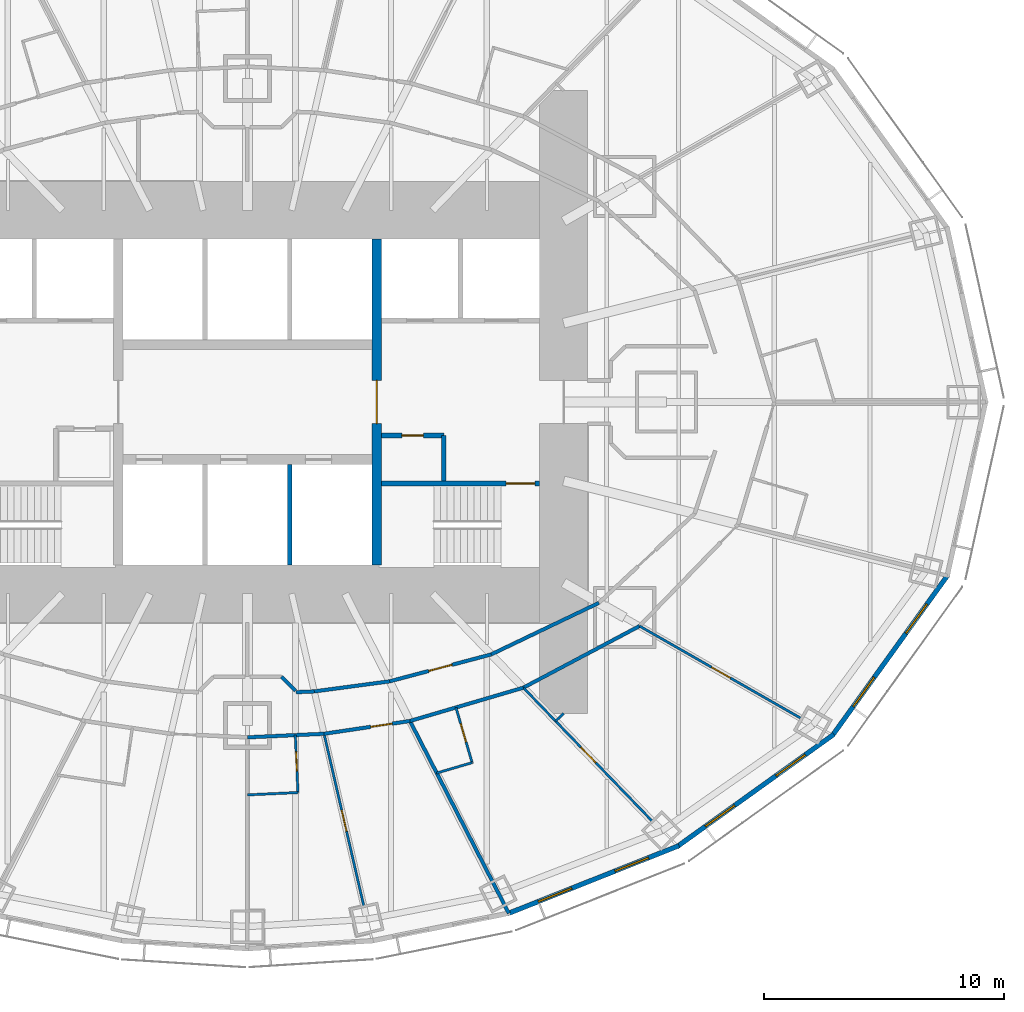
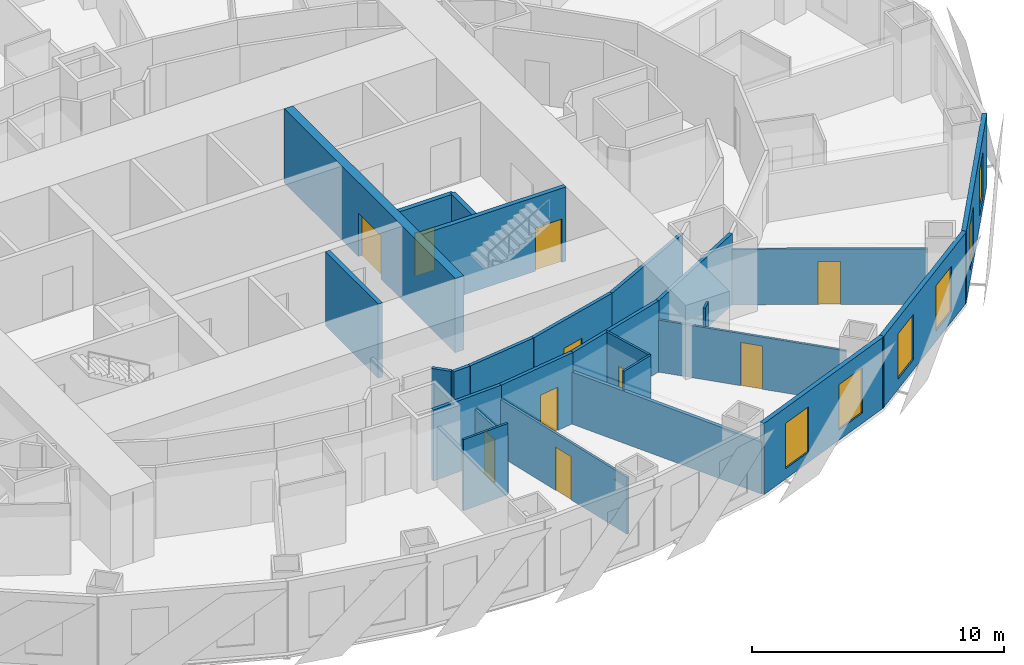
# One storey, part 7 of 15: 26 walls, 10 doors, 6 windows, 16 openings.
"""IFC4 building model written with IfcOpenShell, lengths in metres."""

from ifc_helpers import new_model, si_unit, direction, frame, frame_2d, origin, place, context, subcontext, project, spatial, rectangle, extrude, material, layer, layer_set, type_object, element, fill, save


model = new_model("IFC4")

# Units and contexts
model_context = context("Model", 3, precision=1e-05, world=origin(), true_north=direction((0.0, 1.0)))
body_context = subcontext(model_context, "Body", "Model", "MODEL_VIEW")
ifc_project = project(units=[si_unit("LENGTHUNIT", "METRE"), si_unit("AREAUNIT", "SQUARE_METRE"), si_unit("VOLUMEUNIT", "CUBIC_METRE"), si_unit("PLANEANGLEUNIT", "RADIAN"), si_unit("MASSUNIT", "GRAM", prefix="KILO")], contexts=[model_context])

# Site, building, storey
site_placement = place(None, origin())
site = spatial("IfcSite", under=ifc_project, at=site_placement, CompositionType="ELEMENT")
building_placement = place(site_placement, origin())
building = spatial("IfcBuilding", under=site, at=building_placement, Name="Lantaw Convention Tower", CompositionType="ELEMENT")
storey_placement = place(building_placement, frame((0.0, 0.0, 73.0)))
storey = spatial("IfcBuildingStorey", under=building, at=storey_placement, Name="L16", CompositionType="ELEMENT", Elevation=73.0)

# Wall, opening, door
ifc_material_1 = material(Name="Moisture resistant gypsum board on steel studs", Category="steel")
ifc_layer_1 = layer(ifc_material_1, 0.10009765625)
ifc_layer_set_1 = layer_set([ifc_layer_1], Name="Bathroom wall 100")
wall_type_1 = type_object("IfcWallType", Name="Bathroom wall 100", PredefinedType="PARTITIONING", material=ifc_layer_set_1)
wall_1_placement = place(storey_placement, frame((1.997802734375, -13.9072265625, 0.0), z_axis=(0.0, 0.0, 1.0), x_axis=(0.046492089498, -0.998918658157, 0.0)))
wall_1 = element("IfcWall", 1, at=wall_1_placement, inside=storey, type_object=wall_type_1, Name="Bathroom wall 100", PredefinedType="PARTITIONING", context=body_context, shape_type="SweptSolid", body=[
    extrude(rectangle(XDim=2.39990234375, YDim=0.10009765625, at=frame_2d((1.199951171875, 0.0))), origin(), (0.0, 0.0, 1.0), 2.7490234375),
])
opening_1_placement = place(wall_1_placement, frame((0.699951171875, 0.0, 0.0)))
opening_1 = element("IfcOpeningElement", 2, at=opening_1_placement, cuts=wall_1, Name="Opening L16.45", PredefinedType="OPENING", context=body_context, shape_type="SweptSolid", body=[
    extrude(rectangle(XDim=0.800048828125, YDim=2.10009765625, at=frame_2d((0.39990234375, 1.050048828125))), frame((0.0, 0.06005859375, 0.0), z_axis=(0.0, -1.0, 0.0), x_axis=(1.0, 0.0, 0.0)), (0.0, 0.0, 1.0), 0.1201171875),
])
ifc_material_2 = material(Name="Timber", Category="wood")
door_type_1 = type_object("IfcDoorType", Name="Bathroom door 800", OperationType="SINGLE_SWING_LEFT", PredefinedType="DOOR", material=ifc_material_2)
door_1_placement = place(opening_1_placement, origin())
door_1 = element("IfcDoor", 3, at=door_1_placement, inside=storey, type_object=door_type_1, Name="Bathroom door", OperationType="SINGLE_SWING_LEFT", OverallHeight=2.10009765625, OverallWidth=0.800048828125, PredefinedType="DOOR", context=body_context, shape_type="SweptSolid", body=[
    extrude(rectangle(XDim=0.800048828125, YDim=2.10009765625, at=frame_2d((0.39990234375, 1.050048828125))), frame((0.0, 0.02490234375, 0.0), z_axis=(0.0, -1.0, 0.0), x_axis=(1.0, 0.0, 0.0)), (0.0, 0.0, 1.0), 0.050048828125),
])
fill(opening_1, door_1)

# Wall
wall_2_placement = place(storey_placement, frame((2.109375, -16.304443359375, 0.0), z_axis=(0.0, 0.0, 1.0), x_axis=(-0.998919337223, -0.04647749694, 0.0)))
element("IfcWall", 4, at=wall_2_placement, inside=storey, type_object=wall_type_1, Name="Bathroom wall 100", PredefinedType="PARTITIONING", context=body_context, shape_type="SweptSolid", body=[
    extrude(rectangle(XDim=2.111572265625, YDim=0.10009765625, at=frame_2d((1.0556640625, 0.0))), origin(), (0.0, 0.0, 1.0), 3.449951171875),
])

# Wall, opening, door
wall_3_placement = place(storey_placement, frame((8.70458984375, -12.75390625, 0.0), z_axis=(0.0, 0.0, 1.0), x_axis=(0.281659633817, -0.959514382736, 0.0)))
wall_3 = element("IfcWall", 5, at=wall_3_placement, inside=storey, type_object=wall_type_1, Name="Bathroom wall 100", PredefinedType="PARTITIONING", context=body_context, shape_type="SweptSolid", body=[
    extrude(rectangle(XDim=2.400146484375, YDim=0.10009765625, at=frame_2d((1.2001953125, 0.0))), origin(), (0.0, 0.0, 1.0), 3.449951171875),
])
opening_2_placement = place(wall_3_placement, frame((0.699951171875, 0.0, 0.0)))
opening_2 = element("IfcOpeningElement", 6, at=opening_2_placement, cuts=wall_3, Name="Opening L16.48", PredefinedType="OPENING", context=body_context, shape_type="SweptSolid", body=[
    extrude(rectangle(XDim=0.800048828125, YDim=2.10009765625, at=frame_2d((0.39990234375, 1.050048828125))), frame((0.0, 0.06005859375, 0.0), z_axis=(0.0, -1.0, 0.0), x_axis=(1.0, 0.0, 0.0)), (0.0, 0.0, 1.0), 0.1201171875),
])
door_2_placement = place(opening_2_placement, origin())
door_2 = element("IfcDoor", 7, at=door_2_placement, inside=storey, type_object=door_type_1, Name="Bathroom door", OperationType="SINGLE_SWING_LEFT", OverallHeight=2.10009765625, OverallWidth=0.800048828125, PredefinedType="DOOR", context=body_context, shape_type="SweptSolid", body=[
    extrude(rectangle(XDim=0.800048828125, YDim=2.10009765625, at=frame_2d((0.39990234375, 1.050048828125))), frame((0.0, 0.02490234375, 0.0), z_axis=(0.0, -1.0, 0.0), x_axis=(1.0, 0.0, 0.0)), (0.0, 0.0, 1.0), 0.050048828125),
])
fill(opening_2, door_2)

# Wall
wall_4_placement = place(storey_placement, frame((9.380615234375, -15.056884765625, 0.0), z_axis=(0.0, 0.0, 1.0), x_axis=(-0.959518451093, -0.281645773999, 0.0)))
element("IfcWall", 8, at=wall_4_placement, inside=storey, type_object=wall_type_1, Name="Bathroom wall 100", PredefinedType="PARTITIONING", context=body_context, shape_type="SweptSolid", body=[
    extrude(rectangle(XDim=1.549072265625, YDim=0.10009765625, at=frame_2d((0.7744140625, 0.0))), origin(), (0.0, 0.0, 1.0), 3.449951171875),
])

# Wall, opening, door
ifc_material_3 = material(Name="Concrete C60/75", Category="concrete")
ifc_layer_2 = layer(ifc_material_3, 0.199951171875)
ifc_layer_set_2 = layer_set([ifc_layer_2], Name="Core wall 200")
wall_type_2 = type_object("IfcWallType", Name="Core wall 200", PredefinedType="SHEAR", material=ifc_layer_set_2)
wall_5_placement = place(storey_placement, frame((5.60009765625, -3.39990234375, 0.0), z_axis=(0.0, 0.0, 1.0), x_axis=(1.0, 0.0, 0.0)))
wall_5 = element("IfcWall", 9, at=wall_5_placement, inside=storey, type_object=wall_type_2, Name="Core wall ES", PredefinedType="SHEAR", context=body_context, shape_type="SweptSolid", body=[
    extrude(rectangle(XDim=6.599853515625, YDim=0.199951171875, at=frame_2d((3.2998046875, 0.0))), origin(), (0.0, 0.0, 1.0), 3.60009765625),
])
opening_3_placement = place(wall_5_placement, frame((5.199951171875, 0.0, 0.0)))
opening_3 = element("IfcOpeningElement", 10, at=opening_3_placement, cuts=wall_5, Name="Opening L16.05", PredefinedType="OPENING", context=body_context, shape_type="SweptSolid", body=[
    extrude(rectangle(XDim=1.199951171875, YDim=2.10009765625, at=frame_2d((0.60009765625, 1.050048828125))), frame((0.0, 0.10986328125, 0.0), z_axis=(0.0, -1.0, 0.0), x_axis=(1.0, 0.0, 0.0)), (0.0, 0.0, 1.0), 0.219970703125),
])
ifc_material_4 = material(Name="Steel, fire rated", Category="steel")
door_type_2 = type_object("IfcDoorType", Name="Stair door FD90", OperationType="SINGLE_SWING_RIGHT", PredefinedType="DOOR", material=ifc_material_4)
door_3_placement = place(opening_3_placement, origin())
door_3 = element("IfcDoor", 11, at=door_3_placement, inside=storey, type_object=door_type_2, Name="Exit stair door", OperationType="SINGLE_SWING_RIGHT", OverallHeight=2.10009765625, OverallWidth=1.199951171875, PredefinedType="DOOR", context=body_context, shape_type="SweptSolid", body=[
    extrude(rectangle(XDim=1.199951171875, YDim=2.10009765625, at=frame_2d((0.60009765625, 1.050048828125))), frame((0.0, 0.02490234375, 0.0), z_axis=(0.0, -1.0, 0.0), x_axis=(1.0, 0.0, 0.0)), (0.0, 0.0, 1.0), 0.050048828125),
])
fill(opening_3, door_3)

ifc_layer_3 = layer(ifc_material_3, 0.39990234375)
ifc_layer_set_3 = layer_set([ifc_layer_3], Name="Core wall 400")
wall_type_3 = type_object("IfcWallType", Name="Core wall 400", PredefinedType="SHEAR", material=ifc_layer_set_3)
wall_6_placement = place(storey_placement, frame((5.39990234375, -6.800048828125, 0.0), z_axis=(0.0, 0.0, 1.0), x_axis=(0.0, 1.0, 0.0)))
wall_6 = element("IfcWall", 12, at=wall_6_placement, inside=storey, type_object=wall_type_3, Name="Core wall XE", PredefinedType="SHEAR", context=body_context, shape_type="SweptSolid", body=[
    extrude(rectangle(XDim=13.60009765625, YDim=0.39990234375, at=frame_2d((6.800048828125, 0.0))), origin(), (0.0, 0.0, 1.0), 3.60009765625),
])
opening_4_placement = place(wall_6_placement, frame((5.89990234375, 0.0, 0.0)))
opening_4 = element("IfcOpeningElement", 13, at=opening_4_placement, cuts=wall_6, Name="Opening L16.03", PredefinedType="OPENING", context=body_context, shape_type="SweptSolid", body=[
    extrude(rectangle(XDim=1.800048828125, YDim=2.10009765625, at=frame_2d((0.89990234375, 1.050048828125))), frame((0.0, 0.2099609375, 0.0), z_axis=(0.0, -1.0, 0.0), x_axis=(1.0, 0.0, 0.0)), (0.0, 0.0, 1.0), 0.419921875),
])
door_type_3 = type_object("IfcDoorType", Name="Lobby double door FD90", OperationType="DOUBLE_DOOR_DOUBLE_SWING", PredefinedType="DOOR", material=ifc_material_4)
door_4_placement = place(opening_4_placement, origin())
door_4 = element("IfcDoor", 14, at=door_4_placement, inside=storey, type_object=door_type_3, Name="Lift lobby door", OperationType="DOUBLE_DOOR_DOUBLE_SWING", OverallHeight=2.10009765625, OverallWidth=1.800048828125, PredefinedType="DOOR", context=body_context, shape_type="SweptSolid", body=[
    extrude(rectangle(XDim=1.800048828125, YDim=2.10009765625, at=frame_2d((0.89990234375, 1.050048828125))), frame((0.0, 0.02490234375, 0.0), z_axis=(0.0, -1.0, 0.0), x_axis=(1.0, 0.0, 0.0)), (0.0, 0.0, 1.0), 0.050048828125),
])
fill(opening_4, door_4)

# Wall
ifc_material_5 = material(Name="Gypsum board on steel studs, fire rated", Category="steel")
ifc_layer_4 = layer(ifc_material_5, 0.14990234375)
ifc_layer_set_4 = layer_set([ifc_layer_4], Name="Corridor wall 150 EI 60")
wall_type_4 = type_object("IfcWallType", Name="Corridor wall 150 EI 60", PredefinedType="PARTITIONING", material=ifc_layer_set_4)
wall_7_placement = place(storey_placement, frame((0.0, -14.0, 0.0), z_axis=(0.0, 0.0, 1.0), x_axis=(0.998920826789, 0.046445471333, 0.0)))
element("IfcWall", 15, at=wall_7_placement, inside=storey, type_object=wall_type_4, Name="Corridor wall 150", PredefinedType="PARTITIONING", context=body_context, shape_type="SweptSolid", body=[
    extrude(rectangle(XDim=3.201171875, YDim=0.14990234375, at=frame_2d((1.6005859375, 0.0))), origin(), (0.0, 0.0, 1.0), 3.449951171875),
])

# Wall, opening, door
wall_8_placement = place(storey_placement, frame((3.19775390625, -13.851318359375, 0.0), z_axis=(0.0, 0.0, 1.0), x_axis=(0.989107488999, 0.14719502439, 0.0)))
wall_8 = element("IfcWall", 16, at=wall_8_placement, inside=storey, type_object=wall_type_4, Name="Corridor wall 150", PredefinedType="PARTITIONING", context=body_context, shape_type="SweptSolid", body=[
    extrude(rectangle(XDim=3.62744140625, YDim=0.14990234375, at=frame_2d((1.813720703125, 0.0))), origin(), (0.0, 0.0, 1.0), 3.449951171875),
])
opening_5_placement = place(wall_8_placement, frame((1.970458984375, 0.0, 0.0)))
opening_5 = element("IfcOpeningElement", 17, at=opening_5_placement, cuts=wall_8, Name="Opening L16.47", PredefinedType="OPENING", context=body_context, shape_type="SweptSolid", body=[
    extrude(rectangle(XDim=0.89990234375, YDim=2.10009765625, at=frame_2d((0.449951171875, 1.050048828125))), frame((0.0, 0.0849609375, 0.0), z_axis=(0.0, -1.0, 0.0), x_axis=(1.0, 0.0, 0.0)), (0.0, 0.0, 1.0), 0.169921875),
])
door_type_4 = type_object("IfcDoorType", Name="Guest room entrance door FD30S", OperationType="SINGLE_SWING_LEFT", PredefinedType="DOOR", material=ifc_material_4)
door_5_placement = place(opening_5_placement, origin())
door_5 = element("IfcDoor", 18, at=door_5_placement, inside=storey, type_object=door_type_4, Name="Suite entrance door", OperationType="SINGLE_SWING_LEFT", OverallHeight=2.10009765625, OverallWidth=0.89990234375, PredefinedType="DOOR", context=body_context, shape_type="SweptSolid", body=[
    extrude(rectangle(XDim=0.89990234375, YDim=2.10009765625, at=frame_2d((0.449951171875, 1.050048828125))), frame((0.0, 0.02490234375, 0.0), z_axis=(0.0, -1.0, 0.0), x_axis=(1.0, 0.0, 0.0)), (0.0, 0.0, 1.0), 0.050048828125),
])
fill(opening_5, door_5)

# Walls
wall_9_placement = place(storey_placement, frame((6.78564453125, -13.3173828125, 0.0), z_axis=(0.0, 0.0, 1.0), x_axis=(0.959496227294, 0.281721475589, 0.0)))
element("IfcWall", 19, at=wall_9_placement, inside=storey, type_object=wall_type_4, Name="Corridor wall 150", PredefinedType="PARTITIONING", context=body_context, shape_type="SweptSolid", body=[
    extrude(rectangle(XDim=4.9326171875, YDim=0.14990234375, at=frame_2d((2.46630859375, 0.0))), origin(), (0.0, 0.0, 1.0), 3.449951171875),
])
wall_10_placement = place(storey_placement, frame((11.5185546875, -11.927734375, 0.0), z_axis=(0.0, 0.0, 1.0), x_axis=(0.883334368785, 0.468743419071, 0.0)))
element("IfcWall", 20, at=wall_10_placement, inside=storey, type_object=wall_type_4, Name="Corridor wall 150", PredefinedType="PARTITIONING", context=body_context, shape_type="SweptSolid", body=[
    extrude(rectangle(XDim=5.4912109375, YDim=0.14990234375, at=frame_2d((2.74560546875, 0.0))), origin(), (0.0, 0.0, 1.0), 3.449951171875),
])
wall_11_placement = place(storey_placement, frame((2.78955078125, -12.0830078125, 0.0), z_axis=(0.0, 0.0, 1.0), x_axis=(0.991129053928, 0.13290296633, 0.0)))
element("IfcWall", 21, at=wall_11_placement, inside=storey, type_object=wall_type_4, Name="Corridor wall 150", PredefinedType="PARTITIONING", context=body_context, shape_type="SweptSolid", body=[
    extrude(rectangle(XDim=3.179931640625, YDim=0.14990234375, at=frame_2d((1.58984375, 0.0))), origin(), (0.0, 0.0, 1.0), 3.449951171875),
])

# Wall, opening, door
wall_12_placement = place(storey_placement, frame((5.941162109375, -11.660400390625, 0.0), z_axis=(0.0, 0.0, 1.0), x_axis=(0.966672790407, 0.256015070428, 0.0)))
wall_12 = element("IfcWall", 22, at=wall_12_placement, inside=storey, type_object=wall_type_4, Name="Corridor wall 150", PredefinedType="PARTITIONING", context=body_context, shape_type="SweptSolid", body=[
    extrude(rectangle(XDim=4.3818359375, YDim=0.14990234375, at=frame_2d((2.19091796875, 0.0))), origin(), (0.0, 0.0, 1.0), 3.449951171875),
])
opening_6_placement = place(wall_12_placement, frame((1.69091796875, 0.0, 0.0)))
opening_6 = element("IfcOpeningElement", 23, at=opening_6_placement, cuts=wall_12, Name="Opening L16.24", PredefinedType="OPENING", context=body_context, shape_type="SweptSolid", body=[
    extrude(rectangle(XDim=1.0, YDim=2.10009765625, at=frame_2d((0.5, 1.050048828125))), frame((0.0, 0.0849609375, 0.0), z_axis=(0.0, -1.0, 0.0), x_axis=(1.0, 0.0, 0.0)), (0.0, 0.0, 1.0), 0.169921875),
])
door_type_5 = type_object("IfcDoorType", Name="Service door 1000 FD30", OperationType="SINGLE_SWING_LEFT", PredefinedType="DOOR", material=ifc_material_4)
door_6_placement = place(opening_6_placement, origin())
door_6 = element("IfcDoor", 24, at=door_6_placement, inside=storey, type_object=door_type_5, Name="Room service pantry door", OperationType="SINGLE_SWING_LEFT", OverallHeight=2.10009765625, OverallWidth=1.0, PredefinedType="DOOR", context=body_context, shape_type="SweptSolid", body=[
    extrude(rectangle(XDim=1.0, YDim=2.10009765625, at=frame_2d((0.5, 1.050048828125))), frame((0.0, 0.02490234375, 0.0), z_axis=(0.0, -1.0, 0.0), x_axis=(1.0, 0.0, 0.0)), (0.0, 0.0, 1.0), 0.050048828125),
])
fill(opening_6, door_6)

# Walls
wall_13_placement = place(storey_placement, frame((10.177001953125, -10.53857421875, 0.0), z_axis=(0.0, 0.0, 1.0), x_axis=(0.901869692799, 0.43200816799, 0.0)))
element("IfcWall", 25, at=wall_13_placement, inside=storey, type_object=wall_type_4, Name="Corridor wall 150", PredefinedType="PARTITIONING", context=body_context, shape_type="SweptSolid", body=[
    extrude(rectangle(XDim=4.985595703125, YDim=0.14990234375, at=frame_2d((2.49267578125, 0.0))), origin(), (0.0, 0.0, 1.0), 3.449951171875),
])
wall_14_placement = place(storey_placement, frame((2.034912109375, -12.11474609375, 0.0), z_axis=(0.0, 0.0, 1.0), x_axis=(0.999116751279, 0.042020439232, 0.0)))
element("IfcWall", 26, at=wall_14_placement, inside=storey, type_object=wall_type_4, Name="Corridor wall 150", PredefinedType="PARTITIONING", context=body_context, shape_type="SweptSolid", body=[
    extrude(rectangle(XDim=0.75537109375, YDim=0.14990234375, at=frame_2d((0.377685546875, 0.0))), origin(), (0.0, 0.0, 1.0), 3.449951171875),
])
wall_15_placement = place(storey_placement, frame((1.424560546875, -11.47509765625, 0.0), z_axis=(0.0, 0.0, 1.0), x_axis=(0.707256164678, -0.706957366129, 0.0)))
element("IfcWall", 27, at=wall_15_placement, inside=storey, type_object=wall_type_4, Name="Corridor wall 150", PredefinedType="PARTITIONING", context=body_context, shape_type="SweptSolid", body=[
    extrude(rectangle(XDim=0.817138671875, YDim=0.14990234375, at=frame_2d((0.40869140625, 0.0))), origin(), (0.0, 0.0, 1.0), 3.449951171875),
])

# Wall, openings, windows
ifc_material_6 = material(Name="Insulated aluminium panel on steel frame", Category="steel")
ifc_layer_5 = layer(ifc_material_6, 0.199951171875)
ifc_layer_set_5 = layer_set([ifc_layer_5], Name="External wall 200")
wall_type_5 = type_object("IfcWallType", Name="External wall 200", PredefinedType="SOLIDWALL", material=ifc_layer_set_5)
wall_16_placement = place(storey_placement, frame((10.869384765625, -21.362548828125, 0.0), z_axis=(0.0, 0.0, 1.0), x_axis=(0.929358351251, 0.369178892895, 0.0)))
wall_16 = element("IfcWall", 28, at=wall_16_placement, inside=storey, type_object=wall_type_5, Name="Facade panel wall", PredefinedType="SOLIDWALL", context=body_context, shape_type="SweptSolid", body=[
    extrude(rectangle(XDim=7.6923828125, YDim=0.199951171875, at=frame_2d((3.84619140625, 0.0))), origin(), (0.0, 0.0, 1.0), 3.449951171875),
])
opening_7_placement = place(wall_16_placement, frame((1.373046875, 0.0, 0.5)))
opening_7 = element("IfcOpeningElement", 29, at=opening_7_placement, cuts=wall_16, Name="Opening W2", PredefinedType="OPENING", context=body_context, shape_type="SweptSolid", body=[
    extrude(rectangle(XDim=1.5, YDim=2.199951171875, at=frame_2d((0.75, 1.10009765625))), frame((0.0, 0.10986328125, 0.0), z_axis=(0.0, -1.0, 0.0), x_axis=(1.0, 0.0, 0.0)), (0.0, 0.0, 1.0), 0.219970703125),
])
opening_8_placement = place(wall_16_placement, frame((4.819091796875, 0.0, 0.5)))
opening_8 = element("IfcOpeningElement", 30, at=opening_8_placement, cuts=wall_16, Name="Opening W2", PredefinedType="OPENING", context=body_context, shape_type="SweptSolid", body=[
    extrude(rectangle(XDim=1.5, YDim=2.199951171875, at=frame_2d((0.75, 1.10009765625))), frame((0.0, 0.10986328125, 0.0), z_axis=(0.0, -1.0, 0.0), x_axis=(1.0, 0.0, 0.0)), (0.0, 0.0, 1.0), 0.219970703125),
])
ifc_material_7 = material(Name="Aluminium frame, clear insulating glass", Category="aluminium")
window_type = type_object("IfcWindowType", Name="Suite window 1500x2200", PartitioningType="SINGLE_PANEL", PredefinedType="WINDOW", material=ifc_material_7)
window_1_placement = place(opening_7_placement, origin())
window_1 = element("IfcWindow", 31, at=window_1_placement, inside=storey, type_object=window_type, Name="Guest room window", OverallHeight=2.199951171875, OverallWidth=1.5, PartitioningType="SINGLE_PANEL", PredefinedType="WINDOW", context=body_context, shape_type="SweptSolid", body=[
    extrude(rectangle(XDim=1.5, YDim=2.199951171875, at=frame_2d((0.75, 1.10009765625))), frame((0.0, 0.030029296875, 0.0), z_axis=(0.0, -1.0, 0.0), x_axis=(1.0, 0.0, 0.0)), (0.0, 0.0, 1.0), 0.06005859375),
])
fill(opening_7, window_1)
window_2_placement = place(opening_8_placement, origin())
window_2 = element("IfcWindow", 32, at=window_2_placement, inside=storey, type_object=window_type, Name="Guest room window", OverallHeight=2.199951171875, OverallWidth=1.5, PartitioningType="SINGLE_PANEL", PredefinedType="WINDOW", context=body_context, shape_type="SweptSolid", body=[
    extrude(rectangle(XDim=1.5, YDim=2.199951171875, at=frame_2d((0.75, 1.10009765625))), frame((0.0, 0.030029296875, 0.0), z_axis=(0.0, -1.0, 0.0), x_axis=(1.0, 0.0, 0.0)), (0.0, 0.0, 1.0), 0.06005859375),
])
fill(opening_8, window_2)

wall_17_placement = place(storey_placement, frame((17.9287109375, -18.57177734375, 0.0), z_axis=(0.0, 0.0, 1.0), x_axis=(0.812791321576, 0.582554948112, 0.0)))
wall_17 = element("IfcWall", 33, at=wall_17_placement, inside=storey, type_object=wall_type_5, Name="Facade panel wall", PredefinedType="SOLIDWALL", context=body_context, shape_type="SweptSolid", body=[
    extrude(rectangle(XDim=8.063232421875, YDim=0.199951171875, at=frame_2d((4.03173828125, 0.0))), origin(), (0.0, 0.0, 1.0), 3.449951171875),
])
opening_9_placement = place(wall_17_placement, frame((1.4658203125, 0.0, 0.5)))
opening_9 = element("IfcOpeningElement", 34, at=opening_9_placement, cuts=wall_17, Name="Opening W2", PredefinedType="OPENING", context=body_context, shape_type="SweptSolid", body=[
    extrude(rectangle(XDim=1.5, YDim=2.199951171875, at=frame_2d((0.75, 1.10009765625))), frame((0.0, 0.10986328125, 0.0), z_axis=(0.0, -1.0, 0.0), x_axis=(1.0, 0.0, 0.0)), (0.0, 0.0, 1.0), 0.219970703125),
])
opening_10_placement = place(wall_17_placement, frame((5.097412109375, 0.0, 0.5)))
opening_10 = element("IfcOpeningElement", 35, at=opening_10_placement, cuts=wall_17, Name="Opening W2", PredefinedType="OPENING", context=body_context, shape_type="SweptSolid", body=[
    extrude(rectangle(XDim=1.5, YDim=2.199951171875, at=frame_2d((0.75, 1.10009765625))), frame((0.0, 0.10986328125, 0.0), z_axis=(0.0, -1.0, 0.0), x_axis=(1.0, 0.0, 0.0)), (0.0, 0.0, 1.0), 0.219970703125),
])
window_3_placement = place(opening_9_placement, origin())
window_3 = element("IfcWindow", 36, at=window_3_placement, inside=storey, type_object=window_type, Name="Guest room window", OverallHeight=2.199951171875, OverallWidth=1.5, PartitioningType="SINGLE_PANEL", PredefinedType="WINDOW", context=body_context, shape_type="SweptSolid", body=[
    extrude(rectangle(XDim=1.5, YDim=2.199951171875, at=frame_2d((0.75, 1.10009765625))), frame((0.0, 0.030029296875, 0.0), z_axis=(0.0, -1.0, 0.0), x_axis=(1.0, 0.0, 0.0)), (0.0, 0.0, 1.0), 0.06005859375),
])
fill(opening_9, window_3)
window_4_placement = place(opening_10_placement, origin())
window_4 = element("IfcWindow", 37, at=window_4_placement, inside=storey, type_object=window_type, Name="Guest room window", OverallHeight=2.199951171875, OverallWidth=1.5, PartitioningType="SINGLE_PANEL", PredefinedType="WINDOW", context=body_context, shape_type="SweptSolid", body=[
    extrude(rectangle(XDim=1.5, YDim=2.199951171875, at=frame_2d((0.75, 1.10009765625))), frame((0.0, 0.030029296875, 0.0), z_axis=(0.0, -1.0, 0.0), x_axis=(1.0, 0.0, 0.0)), (0.0, 0.0, 1.0), 0.06005859375),
])
fill(opening_10, window_4)

wall_18_placement = place(storey_placement, frame((24.400390625, -13.95654296875, 0.0), z_axis=(0.0, 0.0, 1.0), x_axis=(0.583937613703, 0.811798536155, 0.0)))
wall_18 = element("IfcWall", 38, at=wall_18_placement, inside=storey, type_object=wall_type_5, Name="Facade panel wall", PredefinedType="SOLIDWALL", context=body_context, shape_type="SweptSolid", body=[
    extrude(rectangle(XDim=8.322998046875, YDim=0.199951171875, at=frame_2d((4.16162109375, 0.0))), origin(), (0.0, 0.0, 1.0), 3.449951171875),
])
opening_11_placement = place(wall_18_placement, frame((1.53076171875, 0.0, 0.5)))
opening_11 = element("IfcOpeningElement", 39, at=opening_11_placement, cuts=wall_18, Name="Opening W2", PredefinedType="OPENING", context=body_context, shape_type="SweptSolid", body=[
    extrude(rectangle(XDim=1.5, YDim=2.199951171875, at=frame_2d((0.75, 1.10009765625))), frame((0.0, 0.10986328125, 0.0), z_axis=(0.0, -1.0, 0.0), x_axis=(1.0, 0.0, 0.0)), (0.0, 0.0, 1.0), 0.219970703125),
])
opening_12_placement = place(wall_18_placement, frame((5.292236328125, 0.0, 0.5)))
opening_12 = element("IfcOpeningElement", 40, at=opening_12_placement, cuts=wall_18, Name="Opening W2", PredefinedType="OPENING", context=body_context, shape_type="SweptSolid", body=[
    extrude(rectangle(XDim=1.5, YDim=2.199951171875, at=frame_2d((0.75, 1.10009765625))), frame((0.0, 0.10986328125, 0.0), z_axis=(0.0, -1.0, 0.0), x_axis=(1.0, 0.0, 0.0)), (0.0, 0.0, 1.0), 0.219970703125),
])
window_5_placement = place(opening_11_placement, origin())
window_5 = element("IfcWindow", 41, at=window_5_placement, inside=storey, type_object=window_type, Name="Guest room window", OverallHeight=2.199951171875, OverallWidth=1.5, PartitioningType="SINGLE_PANEL", PredefinedType="WINDOW", context=body_context, shape_type="SweptSolid", body=[
    extrude(rectangle(XDim=1.5, YDim=2.199951171875, at=frame_2d((0.75, 1.10009765625))), frame((0.0, 0.030029296875, 0.0), z_axis=(0.0, -1.0, 0.0), x_axis=(1.0, 0.0, 0.0)), (0.0, 0.0, 1.0), 0.06005859375),
])
fill(opening_11, window_5)
window_6_placement = place(opening_12_placement, origin())
window_6 = element("IfcWindow", 42, at=window_6_placement, inside=storey, type_object=window_type, Name="Guest room window", OverallHeight=2.199951171875, OverallWidth=1.5, PartitioningType="SINGLE_PANEL", PredefinedType="WINDOW", context=body_context, shape_type="SweptSolid", body=[
    extrude(rectangle(XDim=1.5, YDim=2.199951171875, at=frame_2d((0.75, 1.10009765625))), frame((0.0, 0.030029296875, 0.0), z_axis=(0.0, -1.0, 0.0), x_axis=(1.0, 0.0, 0.0)), (0.0, 0.0, 1.0), 0.06005859375),
])
fill(opening_12, window_6)

# Walls
ifc_material_8 = material(Name="Gypsum board on steel studs, acoustic", Category="steel")
ifc_layer_6 = layer(ifc_material_8, 0.14990234375)
ifc_layer_set_6 = layer_set([ifc_layer_6], Name="Guest room party wall 150")
wall_type_6 = type_object("IfcWallType", Name="Guest room party wall 150", PredefinedType="PARTITIONING", material=ifc_layer_set_6)
wall_19_placement = place(storey_placement, frame((10.911865234375, -21.345703125, 0.0), z_axis=(0.0, 0.0, 1.0), x_axis=(-0.457117602022, 0.889406261458, 0.0)))
element("IfcWall", 43, at=wall_19_placement, inside=storey, type_object=wall_type_6, Name="Guest room party wall 150", PredefinedType="PARTITIONING", context=body_context, shape_type="SweptSolid", body=[
    extrude(rectangle(XDim=9.026611328125, YDim=0.14990234375, at=frame_2d((4.51318359375, 0.0))), origin(), (0.0, 0.0, 1.0), 2.528076171875),
])
ifc_layer_7 = layer(ifc_material_8, 0.10009765625)
ifc_layer_set_7 = layer_set([ifc_layer_7], Name="Office partition 100")
wall_type_7 = type_object("IfcWallType", Name="Office partition 100", PredefinedType="PARTITIONING", material=ifc_layer_set_7)
wall_20_placement = place(storey_placement, frame((13.199951171875, -13.0, 0.0), z_axis=(0.0, 0.0, 1.0), x_axis=(-0.719347134512, -0.69465077562, 0.0)))
element("IfcWall", 44, at=wall_20_placement, inside=storey, type_object=wall_type_7, Name="Office partition 100", PredefinedType="PARTITIONING", context=body_context, shape_type="SweptSolid", body=[
    extrude(rectangle(XDim=0.464599609375, YDim=0.10009765625, at=frame_2d((0.232421875, 0.0))), origin(), (0.0, 0.0, 1.0), 3.449951171875),
])

# Wall, opening, door
ifc_material_9 = material(Name="Concrete blockwork, fire rated", Category="masonry")
ifc_layer_8 = layer(ifc_material_9, 0.199951171875)
ifc_layer_set_8 = layer_set([ifc_layer_8], Name="Plant room wall 200 EI 120")
wall_type_8 = type_object("IfcWallType", Name="Plant room wall 200 EI 120", PredefinedType="SOLIDWALL", material=ifc_layer_set_8)
wall_21_placement = place(storey_placement, frame((5.60009765625, -1.39990234375, 0.0), z_axis=(0.0, 0.0, 1.0), x_axis=(1.0, 0.0, 0.0)))
wall_21 = element("IfcWall", 45, at=wall_21_placement, inside=storey, type_object=wall_type_8, Name="Plant room wall 200", PredefinedType="SOLIDWALL", context=body_context, shape_type="SweptSolid", body=[
    extrude(rectangle(XDim=2.599853515625, YDim=0.199951171875, at=frame_2d((1.2998046875, 0.0))), origin(), (0.0, 0.0, 1.0), 3.449951171875),
])
opening_13_placement = place(wall_21_placement, frame((0.85009765625, 0.0, 0.0)))
opening_13 = element("IfcOpeningElement", 46, at=opening_13_placement, cuts=wall_21, Name="Opening L16.02", PredefinedType="OPENING", context=body_context, shape_type="SweptSolid", body=[
    extrude(rectangle(XDim=0.89990234375, YDim=2.10009765625, at=frame_2d((0.449951171875, 1.050048828125))), frame((0.0, 0.10986328125, 0.0), z_axis=(0.0, -1.0, 0.0), x_axis=(1.0, 0.0, 0.0)), (0.0, 0.0, 1.0), 0.219970703125),
])
door_type_6 = type_object("IfcDoorType", Name="Service door 900 FD60", OperationType="SINGLE_SWING_LEFT", PredefinedType="DOOR", material=ifc_material_4)
door_7_placement = place(opening_13_placement, origin())
door_7 = element("IfcDoor", 47, at=door_7_placement, inside=storey, type_object=door_type_6, Name="Cleaner's store door", OperationType="SINGLE_SWING_LEFT", OverallHeight=2.10009765625, OverallWidth=0.89990234375, PredefinedType="DOOR", context=body_context, shape_type="SweptSolid", body=[
    extrude(rectangle(XDim=0.89990234375, YDim=2.10009765625, at=frame_2d((0.449951171875, 1.050048828125))), frame((0.0, 0.02490234375, 0.0), z_axis=(0.0, -1.0, 0.0), x_axis=(1.0, 0.0, 0.0)), (0.0, 0.0, 1.0), 0.050048828125),
])
fill(opening_13, door_7)

# Walls
wall_22_placement = place(storey_placement, frame((8.199951171875, -1.39990234375, 0.0), z_axis=(0.0, 0.0, 1.0), x_axis=(0.0, -1.0, 0.0)))
element("IfcWall", 48, at=wall_22_placement, inside=storey, type_object=wall_type_8, Name="Plant room wall 200", PredefinedType="SOLIDWALL", context=body_context, shape_type="SweptSolid", body=[
    extrude(rectangle(XDim=1.900146484375, YDim=0.199951171875, at=frame_2d((0.9501953125, 0.0))), origin(), (0.0, 0.0, 1.0), 3.449951171875),
])
ifc_layer_9 = layer(ifc_material_9, 0.199951171875)
ifc_layer_set_9 = layer_set([ifc_layer_9], Name="Shaft wall 200 load-bearing")
wall_type_9 = type_object("IfcWallType", Name="Shaft wall 200 load-bearing", PredefinedType="SOLIDWALL", material=ifc_layer_set_9)
wall_23_placement = place(storey_placement, frame((1.7666015625, -2.60009765625, 0.0), z_axis=(0.0, 0.0, 1.0), x_axis=(0.0, -1.0, 0.0)))
element("IfcWall", 49, at=wall_23_placement, inside=storey, type_object=wall_type_9, Name="Shaft wall DS2", PredefinedType="SOLIDWALL", context=body_context, shape_type="SweptSolid", body=[
    extrude(rectangle(XDim=4.199951171875, YDim=0.199951171875, at=frame_2d((2.10009765625, 0.0))), origin(), (0.0, 0.0, 1.0), 3.60009765625),
])

# Wall, opening, door
ifc_material_10 = material(Name="Gypsum board on steel studs", Category="steel")
ifc_layer_10 = layer(ifc_material_10, 0.10009765625)
ifc_layer_set_10 = layer_set([ifc_layer_10], Name="Suite partition 100")
wall_type_10 = type_object("IfcWallType", Name="Suite partition 100", PredefinedType="PARTITIONING", material=ifc_layer_set_10)
wall_24_placement = place(storey_placement, frame((4.873779296875, -21.11083984375, 0.0), z_axis=(0.0, 0.0, 1.0), x_axis=(-0.224955233595, 0.97436909992, 0.0)))
wall_24 = element("IfcWall", 50, at=wall_24_placement, inside=storey, type_object=wall_type_10, Name="Suite partition 100", PredefinedType="PARTITIONING", context=body_context, shape_type="SweptSolid", body=[
    extrude(rectangle(XDim=7.450439453125, YDim=0.10009765625, at=frame_2d((3.72509765625, 0.0))), origin(), (0.0, 0.0, 1.0), 2.766845703125),
])
opening_14_placement = place(wall_24_placement, frame((3.275146484375, 0.0, 0.0)))
opening_14 = element("IfcOpeningElement", 51, at=opening_14_placement, cuts=wall_24, Name="Opening L16.46", PredefinedType="OPENING", context=body_context, shape_type="SweptSolid", body=[
    extrude(rectangle(XDim=0.89990234375, YDim=2.10009765625, at=frame_2d((0.449951171875, 1.050048828125))), frame((0.0, 0.06005859375, 0.0), z_axis=(0.0, -1.0, 0.0), x_axis=(1.0, 0.0, 0.0)), (0.0, 0.0, 1.0), 0.1201171875),
])
door_type_7 = type_object("IfcDoorType", Name="Suite door 900", OperationType="SINGLE_SWING_LEFT", PredefinedType="DOOR", material=ifc_material_2)
door_8_placement = place(opening_14_placement, origin())
door_8 = element("IfcDoor", 52, at=door_8_placement, inside=storey, type_object=door_type_7, Name="Bedroom door", OperationType="SINGLE_SWING_LEFT", OverallHeight=2.10009765625, OverallWidth=0.89990234375, PredefinedType="DOOR", context=body_context, shape_type="SweptSolid", body=[
    extrude(rectangle(XDim=0.89990234375, YDim=2.10009765625, at=frame_2d((0.449951171875, 1.050048828125))), frame((0.0, 0.02490234375, 0.0), z_axis=(0.0, -1.0, 0.0), x_axis=(1.0, 0.0, 0.0)), (0.0, 0.0, 1.0), 0.050048828125),
])
fill(opening_14, door_8)

wall_25_placement = place(storey_placement, frame((16.943603515625, -17.54541015625, 0.0), z_axis=(0.0, 0.0, 1.0), x_axis=(-0.694666479492, 0.719331969448, 0.0)))
wall_25 = element("IfcWall", 53, at=wall_25_placement, inside=storey, type_object=wall_type_10, Name="Suite partition 100", PredefinedType="PARTITIONING", context=body_context, shape_type="SweptSolid", body=[
    extrude(rectangle(XDim=7.8095703125, YDim=0.10009765625, at=frame_2d((3.90478515625, 0.0))), origin(), (0.0, 0.0, 1.0), 2.528076171875),
])
opening_15_placement = place(wall_25_placement, frame((3.454833984375, 0.0, 0.0)))
opening_15 = element("IfcOpeningElement", 54, at=opening_15_placement, cuts=wall_25, Name="Opening L16.49", PredefinedType="OPENING", context=body_context, shape_type="SweptSolid", body=[
    extrude(rectangle(XDim=0.89990234375, YDim=2.10009765625, at=frame_2d((0.449951171875, 1.050048828125))), frame((0.0, 0.06005859375, 0.0), z_axis=(0.0, -1.0, 0.0), x_axis=(1.0, 0.0, 0.0)), (0.0, 0.0, 1.0), 0.1201171875),
])
door_9_placement = place(opening_15_placement, origin())
door_9 = element("IfcDoor", 55, at=door_9_placement, inside=storey, type_object=door_type_7, Name="Bedroom door", OperationType="SINGLE_SWING_LEFT", OverallHeight=2.10009765625, OverallWidth=0.89990234375, PredefinedType="DOOR", context=body_context, shape_type="SweptSolid", body=[
    extrude(rectangle(XDim=0.89990234375, YDim=2.10009765625, at=frame_2d((0.449951171875, 1.050048828125))), frame((0.0, 0.02490234375, 0.0), z_axis=(0.0, -1.0, 0.0), x_axis=(1.0, 0.0, 0.0)), (0.0, 0.0, 1.0), 0.050048828125),
])
fill(opening_15, door_9)

wall_26_placement = place(storey_placement, frame((23.1708984375, -13.240478515625, 0.0), z_axis=(0.0, 0.0, 1.0), x_axis=(-0.868243142124, 0.496138938357, 0.0)))
wall_26 = element("IfcWall", 56, at=wall_26_placement, inside=storey, type_object=wall_type_10, Name="Suite partition 100", PredefinedType="PARTITIONING", context=body_context, shape_type="SweptSolid", body=[
    extrude(rectangle(XDim=7.833984375, YDim=0.10009765625, at=frame_2d((3.9169921875, 0.0))), origin(), (0.0, 0.0, 1.0), 2.693115234375),
])
opening_16_placement = place(wall_26_placement, frame((3.467041015625, 0.0, 0.0)))
opening_16 = element("IfcOpeningElement", 57, at=opening_16_placement, cuts=wall_26, Name="Opening L16.50", PredefinedType="OPENING", context=body_context, shape_type="SweptSolid", body=[
    extrude(rectangle(XDim=0.89990234375, YDim=2.10009765625, at=frame_2d((0.449951171875, 1.050048828125))), frame((0.0, 0.06005859375, 0.0), z_axis=(0.0, -1.0, 0.0), x_axis=(1.0, 0.0, 0.0)), (0.0, 0.0, 1.0), 0.1201171875),
])
door_10_placement = place(opening_16_placement, origin())
door_10 = element("IfcDoor", 58, at=door_10_placement, inside=storey, type_object=door_type_7, Name="Kitchenette door", OperationType="SINGLE_SWING_LEFT", OverallHeight=2.10009765625, OverallWidth=0.89990234375, PredefinedType="DOOR", context=body_context, shape_type="SweptSolid", body=[
    extrude(rectangle(XDim=0.89990234375, YDim=2.10009765625, at=frame_2d((0.449951171875, 1.050048828125))), frame((0.0, 0.02490234375, 0.0), z_axis=(0.0, -1.0, 0.0), x_axis=(1.0, 0.0, 0.0)), (0.0, 0.0, 1.0), 0.050048828125),
])
fill(opening_16, door_10)

save(model, "model.ifc")
